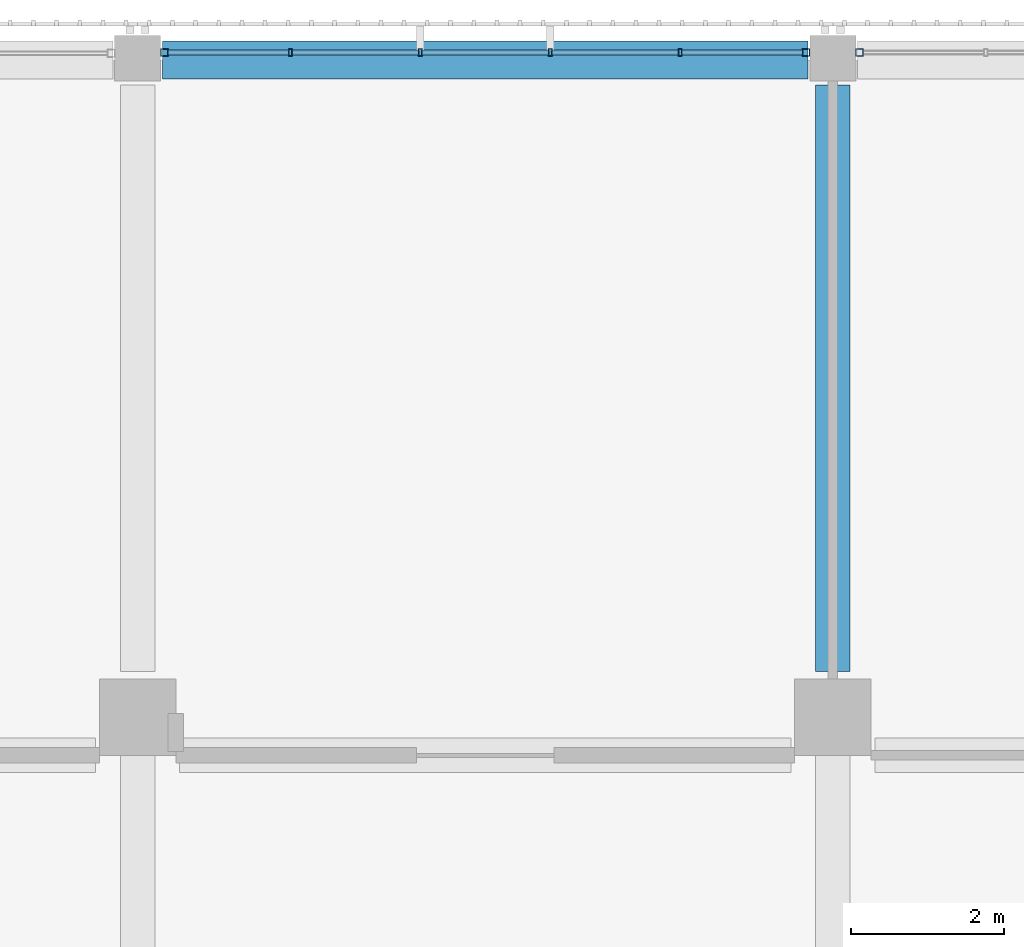
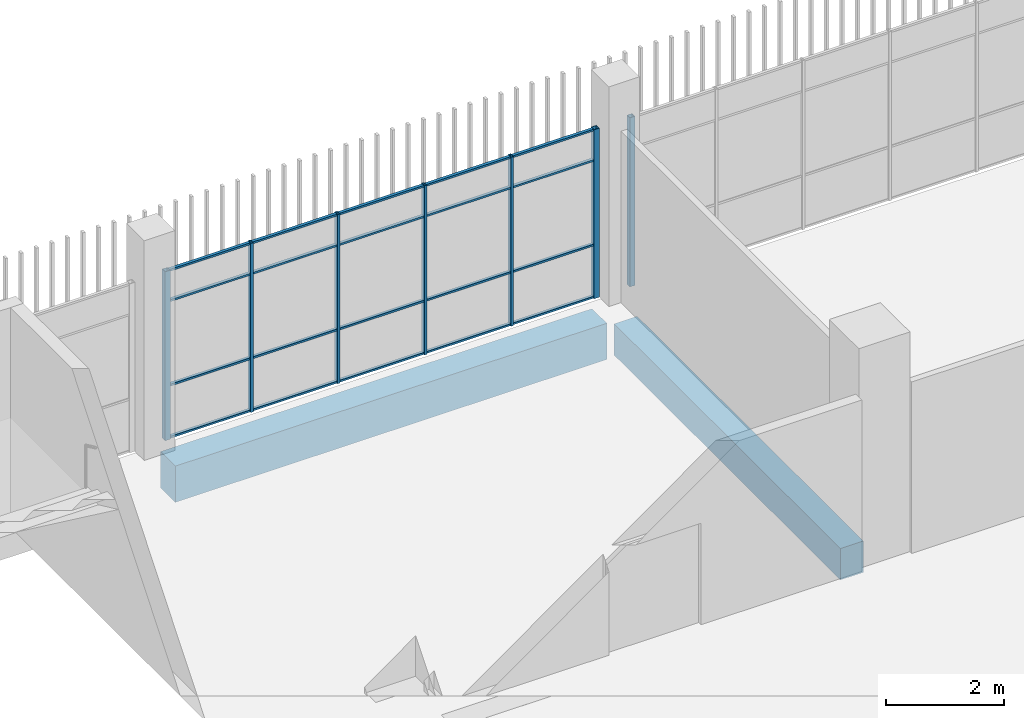
# One storey, part 36 of 126: 27 members, 2 beams, 2 elements without a shape of their own.
"""IFC4 building model written with IfcOpenShell, lengths in metres."""

from ifc_helpers import new_model, si_unit, direction, frame, origin, origin_2d, place, context, subcontext, project, spatial, rectangle, hollow_rectangle, extrude, material, layer, layer_set, material_profile, profile_set, type_object, element, aggregate, save


model = new_model("IFC4")

# Units and contexts
model_context = context("Model", 3, precision=1e-05, world=origin(), true_north=direction((0.0, 1.0)))
body_context = subcontext(model_context, "Body", "Model", "MODEL_VIEW")
ifc_project = project(units=[si_unit("LENGTHUNIT", "METRE"), si_unit("AREAUNIT", "SQUARE_METRE"), si_unit("VOLUMEUNIT", "CUBIC_METRE"), si_unit("PLANEANGLEUNIT", "RADIAN"), si_unit("MASSUNIT", "GRAM", prefix="KILO")], contexts=[model_context])

# Site, building, storey
site_placement = place(None, origin())
site = spatial("IfcSite", under=ifc_project, at=site_placement, CompositionType="ELEMENT")
building_placement = place(site_placement, origin())
building = spatial("IfcBuilding", under=site, at=building_placement, Name="Shirokan Park Arena", CompositionType="ELEMENT")
storey_placement = place(building_placement, frame((0.0, 0.0, 6.3701171875)))
storey = spatial("IfcBuildingStorey", under=building, at=storey_placement, Name="L01", CompositionType="ELEMENT", Elevation=6.3701171875)

# Curtain wall, member
ifc_material_1 = material(Name="Steel and glass curtain wall", Category="steel")
ifc_layer = layer(ifc_material_1, 0.10009765625)
ifc_layer_set = layer_set([ifc_layer], Name="Steel and glass curtain wall 100 mm")
curtain_wall_type = type_object("IfcCurtainWallType", Name="Curtain wall sheltered bay 100", PredefinedType="NOTDEFINED", material=ifc_layer_set)
curtain_wall_1_placement = place(storey_placement, origin())
curtain_wall_1 = element("IfcCurtainWall", 1, at=curtain_wall_1_placement, inside=storey, type_object=curtain_wall_type, Name="Curtain wall north bay 8 L01", PredefinedType="NOTDEFINED")
ifc_material_2 = material(Name="Steel S355", Category="steel")
ifc_material_profile_1 = material_profile(ifc_material_2, hollow_rectangle(XDim=0.10009765625, YDim=0.10009765625, WallThickness=0.006103515625, at=origin_2d()), Name="RHS 100x100x6")
ifc_profile_set_1 = profile_set([ifc_material_profile_1], Name="Steel S355")
member_type_1 = type_object("IfcMemberType", Name="Mullion RHS 100x100x6", PredefinedType="MULLION", material=ifc_profile_set_1)
member_1_placement = place(storey_placement, frame((73.14990234375, 109.300048828125, 0.0), z_axis=(0.0, 0.0, 1.0), x_axis=(0.0, -1.0, 0.0)))
member_1 = element("IfcMember", 2, at=member_1_placement, type_object=member_type_1, Name="CW2 mullion 6", PredefinedType="MULLION", context=body_context, shape_type="SweptSolid", body=[
    extrude(hollow_rectangle(XDim=0.10009765625, YDim=0.10009765625, WallThickness=0.006103515625, at=origin_2d()), origin(), (0.0, 0.0, 1.0), 3.5),
])
aggregate(curtain_wall_1, [member_1])

# Curtain wall, members
curtain_wall_2_placement = place(storey_placement, origin())
curtain_wall_2 = element("IfcCurtainWall", 3, at=curtain_wall_2_placement, inside=storey, type_object=curtain_wall_type, Name="Curtain wall north bay 9 L01", PredefinedType="NOTDEFINED")
member_2_placement = place(storey_placement, frame((72.449951171875, 109.300048828125, 0.0), z_axis=(0.0, 0.0, 1.0), x_axis=(0.0, -1.0, 0.0)))
member_2 = element("IfcMember", 4, at=member_2_placement, type_object=member_type_1, Name="CW2 mullion 1", PredefinedType="MULLION", context=body_context, shape_type="SweptSolid", body=[
    extrude(hollow_rectangle(XDim=0.10009765625, YDim=0.10009765625, WallThickness=0.006103515625, at=origin_2d()), origin(), (0.0, 0.0, 1.0), 3.5),
])
member_3_placement = place(storey_placement, frame((64.050048828125, 109.300048828125, 0.0), z_axis=(0.0, 0.0, 1.0), x_axis=(0.0, -1.0, 0.0)))
member_3 = element("IfcMember", 5, at=member_3_placement, type_object=member_type_1, Name="CW2 mullion 6", PredefinedType="MULLION", context=body_context, shape_type="SweptSolid", body=[
    extrude(hollow_rectangle(XDim=0.10009765625, YDim=0.10009765625, WallThickness=0.006103515625, at=origin_2d()), origin(), (0.0, 0.0, 1.0), 3.5),
])
ifc_material_profile_2 = material_profile(ifc_material_2, hollow_rectangle(XDim=0.10009765625, YDim=0.050048828125, WallThickness=0.0048828125, at=origin_2d()), Name="RHS 100x50x5")
ifc_profile_set_2 = profile_set([ifc_material_profile_2], Name="Steel S355")
member_type_2 = type_object("IfcMemberType", Name="Mullion RHS 100x50x5", PredefinedType="MULLION", material=ifc_profile_set_2)
member_4_placement = place(storey_placement, frame((70.800048828125, 109.300048828125, 0.0), z_axis=(0.0, 0.0, 1.0), x_axis=(0.0, -1.0, 0.0)))
member_4 = element("IfcMember", 6, at=member_4_placement, type_object=member_type_2, Name="CW2 mullion 2", PredefinedType="MULLION", context=body_context, shape_type="SweptSolid", body=[
    extrude(hollow_rectangle(XDim=0.10009765625, YDim=0.050048828125, WallThickness=0.0048828125, at=origin_2d()), origin(), (0.0, 0.0, 1.0), 3.5),
])
member_5_placement = place(storey_placement, frame((69.10009765625, 109.300048828125, 0.0), z_axis=(0.0, 0.0, 1.0), x_axis=(0.0, -1.0, 0.0)))
member_5 = element("IfcMember", 7, at=member_5_placement, type_object=member_type_2, Name="CW2 mullion 3", PredefinedType="MULLION", context=body_context, shape_type="SweptSolid", body=[
    extrude(hollow_rectangle(XDim=0.10009765625, YDim=0.050048828125, WallThickness=0.0048828125, at=origin_2d()), origin(), (0.0, 0.0, 1.0), 3.5),
])
member_6_placement = place(storey_placement, frame((67.39990234375, 109.300048828125, 0.0), z_axis=(0.0, 0.0, 1.0), x_axis=(0.0, -1.0, 0.0)))
member_6 = element("IfcMember", 8, at=member_6_placement, type_object=member_type_2, Name="CW2 mullion 4", PredefinedType="MULLION", context=body_context, shape_type="SweptSolid", body=[
    extrude(hollow_rectangle(XDim=0.10009765625, YDim=0.050048828125, WallThickness=0.0048828125, at=origin_2d()), origin(), (0.0, 0.0, 1.0), 3.5),
])
member_7_placement = place(storey_placement, frame((65.699951171875, 109.300048828125, 0.0), z_axis=(0.0, 0.0, 1.0), x_axis=(0.0, -1.0, 0.0)))
member_7 = element("IfcMember", 9, at=member_7_placement, type_object=member_type_2, Name="CW2 mullion 5", PredefinedType="MULLION", context=body_context, shape_type="SweptSolid", body=[
    extrude(hollow_rectangle(XDim=0.10009765625, YDim=0.050048828125, WallThickness=0.0048828125, at=origin_2d()), origin(), (0.0, 0.0, 1.0), 3.5),
])

# Beams
ifc_material_3 = material(Name="Concrete C35", Category="concrete")
ifc_material_profile_3 = material_profile(ifc_material_3, rectangle(XDim=0.449951171875, YDim=0.64990234375, at=origin_2d()), Name="450x650")
ifc_profile_set_3 = profile_set([ifc_material_profile_3], Name="Concrete C35")
beam_type_1 = type_object("IfcBeamType", Name="RC girder 450x650", PredefinedType="BEAM", material=ifc_profile_set_3)
beam_1_placement = place(storey_placement, frame((72.800048828125, 101.2001953125, -0.675048828125), z_axis=(0.0, 1.0, 0.0), x_axis=(-1.0, 0.0, 0.0)))
element("IfcBeam", 10, at=beam_1_placement, inside=storey, type_object=beam_type_1, Name="Girder 9M-9N L01", PredefinedType="BEAM", context=body_context, shape_type="SweptSolid", body=[
    extrude(rectangle(XDim=0.449951171875, YDim=0.64990234375, at=origin_2d()), origin(), (0.0, 0.0, 1.0), 7.6748046875),
])
ifc_material_profile_4 = material_profile(ifc_material_3, rectangle(XDim=0.5, YDim=0.75, at=origin_2d()), Name="500x750")
ifc_profile_set_4 = profile_set([ifc_material_profile_4], Name="Concrete C35")
beam_type_2 = type_object("IfcBeamType", Name="RC girder 500x750", PredefinedType="BEAM", material=ifc_profile_set_4)
beam_2_placement = place(storey_placement, frame((64.025146484375, 109.199951171875, -0.72509765625), z_axis=(1.0, 0.0, 0.0), x_axis=(0.0, 1.0, 0.0)))
element("IfcBeam", 11, at=beam_2_placement, inside=storey, type_object=beam_type_2, Name="Girder 8N-9N L01", PredefinedType="BEAM", context=body_context, shape_type="SweptSolid", body=[
    extrude(rectangle(XDim=0.5, YDim=0.75, at=origin_2d()), origin(), (0.0, 0.0, 1.0), 8.44970703125),
])

# Member
ifc_material_profile_5 = material_profile(ifc_material_2, hollow_rectangle(XDim=0.06005859375, YDim=0.0400390625, WallThickness=0.00390625, at=origin_2d()), Name="RHS 60x40x4")
ifc_profile_set_5 = profile_set([ifc_material_profile_5], Name="Steel S355")
member_type_3 = type_object("IfcMemberType", Name="Transom RHS 60x40x4", PredefinedType="MULLION", material=ifc_profile_set_5)
member_8_placement = place(storey_placement, frame((72.39990234375, 109.300048828125, 0.019775390625), z_axis=(-1.0, 0.0, 0.0), x_axis=(0.0, -1.0, 0.0)))
member_8 = element("IfcMember", 12, at=member_8_placement, type_object=member_type_3, Name="CW2 transom 1.1", PredefinedType="MULLION", context=body_context, shape_type="SweptSolid", body=[
    extrude(hollow_rectangle(XDim=0.06005859375, YDim=0.0400390625, WallThickness=0.00390625, at=origin_2d()), origin(), (0.0, 0.0, 1.0), 1.574951171875),
])

member_9_placement = place(storey_placement, frame((72.39990234375, 109.300048828125, 1.099853515625), z_axis=(-1.0, 0.0, 0.0), x_axis=(0.0, -1.0, 0.0)))
member_9 = element("IfcMember", 13, at=member_9_placement, type_object=member_type_3, Name="CW2 transom 1.2", PredefinedType="MULLION", context=body_context, shape_type="SweptSolid", body=[
    extrude(hollow_rectangle(XDim=0.06005859375, YDim=0.0400390625, WallThickness=0.00390625, at=origin_2d()), origin(), (0.0, 0.0, 1.0), 1.574951171875),
])

member_10_placement = place(storey_placement, frame((72.39990234375, 109.300048828125, 2.849853515625), z_axis=(-1.0, 0.0, 0.0), x_axis=(0.0, -1.0, 0.0)))
member_10 = element("IfcMember", 14, at=member_10_placement, type_object=member_type_3, Name="CW2 transom 1.3", PredefinedType="MULLION", context=body_context, shape_type="SweptSolid", body=[
    extrude(hollow_rectangle(XDim=0.06005859375, YDim=0.0400390625, WallThickness=0.00390625, at=origin_2d()), origin(), (0.0, 0.0, 1.0), 1.574951171875),
])

member_11_placement = place(storey_placement, frame((72.39990234375, 109.300048828125, 3.47998046875), z_axis=(-1.0, 0.0, 0.0), x_axis=(0.0, -1.0, 0.0)))
member_11 = element("IfcMember", 15, at=member_11_placement, type_object=member_type_3, Name="CW2 transom 1.4", PredefinedType="MULLION", context=body_context, shape_type="SweptSolid", body=[
    extrude(hollow_rectangle(XDim=0.06005859375, YDim=0.0400390625, WallThickness=0.00390625, at=origin_2d()), origin(), (0.0, 0.0, 1.0), 1.574951171875),
])

member_12_placement = place(storey_placement, frame((70.77490234375, 109.300048828125, 0.019775390625), z_axis=(-1.0, 0.0, 0.0), x_axis=(0.0, -1.0, 0.0)))
member_12 = element("IfcMember", 16, at=member_12_placement, type_object=member_type_3, Name="CW2 transom 2.1", PredefinedType="MULLION", context=body_context, shape_type="SweptSolid", body=[
    extrude(hollow_rectangle(XDim=0.06005859375, YDim=0.0400390625, WallThickness=0.00390625, at=origin_2d()), origin(), (0.0, 0.0, 1.0), 1.64990234375),
])

member_13_placement = place(storey_placement, frame((70.77490234375, 109.300048828125, 1.099853515625), z_axis=(-1.0, 0.0, 0.0), x_axis=(0.0, -1.0, 0.0)))
member_13 = element("IfcMember", 17, at=member_13_placement, type_object=member_type_3, Name="CW2 transom 2.2", PredefinedType="MULLION", context=body_context, shape_type="SweptSolid", body=[
    extrude(hollow_rectangle(XDim=0.06005859375, YDim=0.0400390625, WallThickness=0.00390625, at=origin_2d()), origin(), (0.0, 0.0, 1.0), 1.64990234375),
])

member_14_placement = place(storey_placement, frame((70.77490234375, 109.300048828125, 2.849853515625), z_axis=(-1.0, 0.0, 0.0), x_axis=(0.0, -1.0, 0.0)))
member_14 = element("IfcMember", 18, at=member_14_placement, type_object=member_type_3, Name="CW2 transom 2.3", PredefinedType="MULLION", context=body_context, shape_type="SweptSolid", body=[
    extrude(hollow_rectangle(XDim=0.06005859375, YDim=0.0400390625, WallThickness=0.00390625, at=origin_2d()), origin(), (0.0, 0.0, 1.0), 1.64990234375),
])

member_15_placement = place(storey_placement, frame((70.77490234375, 109.300048828125, 3.47998046875), z_axis=(-1.0, 0.0, 0.0), x_axis=(0.0, -1.0, 0.0)))
member_15 = element("IfcMember", 19, at=member_15_placement, type_object=member_type_3, Name="CW2 transom 2.4", PredefinedType="MULLION", context=body_context, shape_type="SweptSolid", body=[
    extrude(hollow_rectangle(XDim=0.06005859375, YDim=0.0400390625, WallThickness=0.00390625, at=origin_2d()), origin(), (0.0, 0.0, 1.0), 1.64990234375),
])

member_16_placement = place(storey_placement, frame((69.074951171875, 109.300048828125, 0.019775390625), z_axis=(-1.0, 0.0, 0.0), x_axis=(0.0, -1.0, 0.0)))
member_16 = element("IfcMember", 20, at=member_16_placement, type_object=member_type_3, Name="CW2 transom 3.1", PredefinedType="MULLION", context=body_context, shape_type="SweptSolid", body=[
    extrude(hollow_rectangle(XDim=0.06005859375, YDim=0.0400390625, WallThickness=0.00390625, at=origin_2d()), origin(), (0.0, 0.0, 1.0), 1.64990234375),
])

member_17_placement = place(storey_placement, frame((69.074951171875, 109.300048828125, 1.099853515625), z_axis=(-1.0, 0.0, 0.0), x_axis=(0.0, -1.0, 0.0)))
member_17 = element("IfcMember", 21, at=member_17_placement, type_object=member_type_3, Name="CW2 transom 3.2", PredefinedType="MULLION", context=body_context, shape_type="SweptSolid", body=[
    extrude(hollow_rectangle(XDim=0.06005859375, YDim=0.0400390625, WallThickness=0.00390625, at=origin_2d()), origin(), (0.0, 0.0, 1.0), 1.64990234375),
])

member_18_placement = place(storey_placement, frame((69.074951171875, 109.300048828125, 2.849853515625), z_axis=(-1.0, 0.0, 0.0), x_axis=(0.0, -1.0, 0.0)))
member_18 = element("IfcMember", 22, at=member_18_placement, type_object=member_type_3, Name="CW2 transom 3.3", PredefinedType="MULLION", context=body_context, shape_type="SweptSolid", body=[
    extrude(hollow_rectangle(XDim=0.06005859375, YDim=0.0400390625, WallThickness=0.00390625, at=origin_2d()), origin(), (0.0, 0.0, 1.0), 1.64990234375),
])

member_19_placement = place(storey_placement, frame((69.074951171875, 109.300048828125, 3.47998046875), z_axis=(-1.0, 0.0, 0.0), x_axis=(0.0, -1.0, 0.0)))
member_19 = element("IfcMember", 23, at=member_19_placement, type_object=member_type_3, Name="CW2 transom 3.4", PredefinedType="MULLION", context=body_context, shape_type="SweptSolid", body=[
    extrude(hollow_rectangle(XDim=0.06005859375, YDim=0.0400390625, WallThickness=0.00390625, at=origin_2d()), origin(), (0.0, 0.0, 1.0), 1.64990234375),
])

member_20_placement = place(storey_placement, frame((67.375, 109.300048828125, 0.019775390625), z_axis=(-1.0, 0.0, 0.0), x_axis=(0.0, -1.0, 0.0)))
member_20 = element("IfcMember", 24, at=member_20_placement, type_object=member_type_3, Name="CW2 transom 4.1", PredefinedType="MULLION", context=body_context, shape_type="SweptSolid", body=[
    extrude(hollow_rectangle(XDim=0.06005859375, YDim=0.0400390625, WallThickness=0.00390625, at=origin_2d()), origin(), (0.0, 0.0, 1.0), 1.64990234375),
])

member_21_placement = place(storey_placement, frame((67.375, 109.300048828125, 1.099853515625), z_axis=(-1.0, 0.0, 0.0), x_axis=(0.0, -1.0, 0.0)))
member_21 = element("IfcMember", 25, at=member_21_placement, type_object=member_type_3, Name="CW2 transom 4.2", PredefinedType="MULLION", context=body_context, shape_type="SweptSolid", body=[
    extrude(hollow_rectangle(XDim=0.06005859375, YDim=0.0400390625, WallThickness=0.00390625, at=origin_2d()), origin(), (0.0, 0.0, 1.0), 1.64990234375),
])

member_22_placement = place(storey_placement, frame((67.375, 109.300048828125, 2.849853515625), z_axis=(-1.0, 0.0, 0.0), x_axis=(0.0, -1.0, 0.0)))
member_22 = element("IfcMember", 26, at=member_22_placement, type_object=member_type_3, Name="CW2 transom 4.3", PredefinedType="MULLION", context=body_context, shape_type="SweptSolid", body=[
    extrude(hollow_rectangle(XDim=0.06005859375, YDim=0.0400390625, WallThickness=0.00390625, at=origin_2d()), origin(), (0.0, 0.0, 1.0), 1.64990234375),
])

member_23_placement = place(storey_placement, frame((67.375, 109.300048828125, 3.47998046875), z_axis=(-1.0, 0.0, 0.0), x_axis=(0.0, -1.0, 0.0)))
member_23 = element("IfcMember", 27, at=member_23_placement, type_object=member_type_3, Name="CW2 transom 4.4", PredefinedType="MULLION", context=body_context, shape_type="SweptSolid", body=[
    extrude(hollow_rectangle(XDim=0.06005859375, YDim=0.0400390625, WallThickness=0.00390625, at=origin_2d()), origin(), (0.0, 0.0, 1.0), 1.64990234375),
])

member_24_placement = place(storey_placement, frame((65.675048828125, 109.300048828125, 0.019775390625), z_axis=(-1.0, 0.0, 0.0), x_axis=(0.0, -1.0, 0.0)))
member_24 = element("IfcMember", 28, at=member_24_placement, type_object=member_type_3, Name="CW2 transom 5.1", PredefinedType="MULLION", context=body_context, shape_type="SweptSolid", body=[
    extrude(hollow_rectangle(XDim=0.06005859375, YDim=0.0400390625, WallThickness=0.00390625, at=origin_2d()), origin(), (0.0, 0.0, 1.0), 1.574951171875),
])

member_25_placement = place(storey_placement, frame((65.675048828125, 109.300048828125, 1.099853515625), z_axis=(-1.0, 0.0, 0.0), x_axis=(0.0, -1.0, 0.0)))
member_25 = element("IfcMember", 29, at=member_25_placement, type_object=member_type_3, Name="CW2 transom 5.2", PredefinedType="MULLION", context=body_context, shape_type="SweptSolid", body=[
    extrude(hollow_rectangle(XDim=0.06005859375, YDim=0.0400390625, WallThickness=0.00390625, at=origin_2d()), origin(), (0.0, 0.0, 1.0), 1.574951171875),
])

member_26_placement = place(storey_placement, frame((65.675048828125, 109.300048828125, 2.849853515625), z_axis=(-1.0, 0.0, 0.0), x_axis=(0.0, -1.0, 0.0)))
member_26 = element("IfcMember", 30, at=member_26_placement, type_object=member_type_3, Name="CW2 transom 5.3", PredefinedType="MULLION", context=body_context, shape_type="SweptSolid", body=[
    extrude(hollow_rectangle(XDim=0.06005859375, YDim=0.0400390625, WallThickness=0.00390625, at=origin_2d()), origin(), (0.0, 0.0, 1.0), 1.574951171875),
])

member_27_placement = place(storey_placement, frame((65.675048828125, 109.300048828125, 3.47998046875), z_axis=(-1.0, 0.0, 0.0), x_axis=(0.0, -1.0, 0.0)))
member_27 = element("IfcMember", 31, at=member_27_placement, type_object=member_type_3, Name="CW2 transom 5.4", PredefinedType="MULLION", context=body_context, shape_type="SweptSolid", body=[
    extrude(hollow_rectangle(XDim=0.06005859375, YDim=0.0400390625, WallThickness=0.00390625, at=origin_2d()), origin(), (0.0, 0.0, 1.0), 1.574951171875),
])

aggregate(curtain_wall_2, [member_2, member_4, member_5, member_6, member_7, member_3, member_8, member_9, member_10, member_11, member_12, member_13, member_14, member_15, member_16, member_17, member_18, member_19, member_20, member_21, member_22, member_23, member_24, member_25, member_26, member_27])

save(model, "model.ifc")
